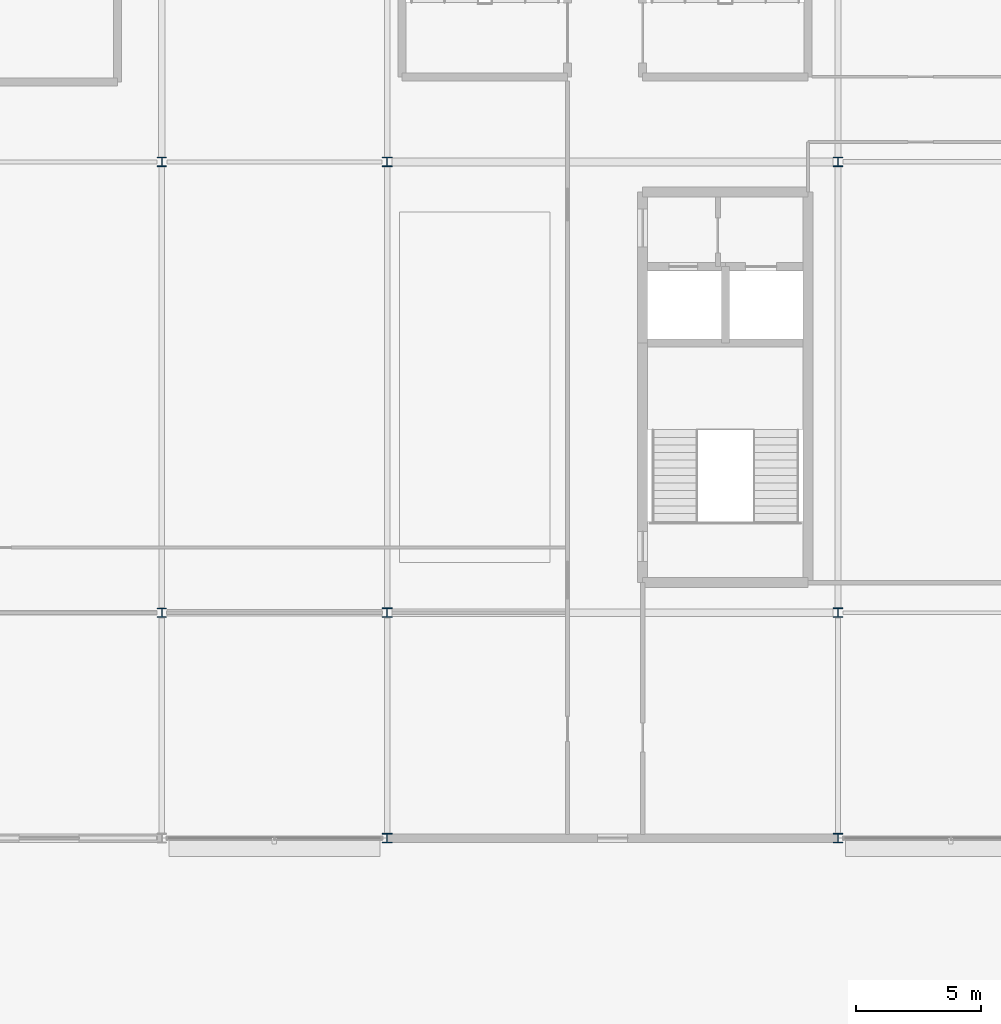
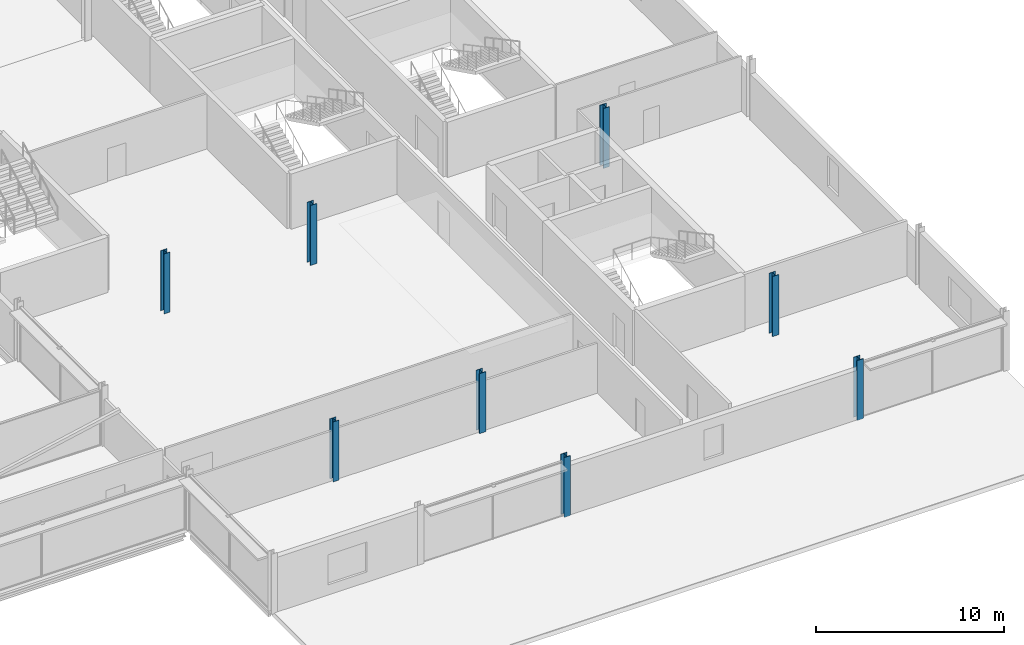
# One storey, part 11 of 105: 8 columns.
"""IFC4 building model written with IfcOpenShell, lengths in metres."""

import ifcopenshell
import ifcopenshell.guid

model = None  # the IFC model being written
_history = None  # IfcOwnerHistory: only IFC2X3 demands one
_inside = {}  # id of a spatial element -> (the spatial element, [elements in it])
_under = {}  # id of a project, library or spatial element -> (it, [spatial elements below it])
_declared = {}  # id of a project -> (the project, [libraries it declares])
_typed = {}  # id of a type object -> (the type object, [elements of that type])
_made_of = {}  # id of a material, layer set ... -> (it, [elements and type objects made of it])


def new_model(schema):
    """Start an empty IFC model of exactly this schema.

    Asked for "IFC4X3", IfcOpenShell would pick the latest addendum, in which some entities
    have other attributes; the version numbers below select the first issue.
    IFC2X3 requires an IfcOwnerHistory on every rooted entity: one is made here for all.
    """
    global model, _history
    if schema == "IFC4X3":
        model = ifcopenshell.file(schema_version=(4, 3, 0, 0))
    else:
        model = ifcopenshell.file(schema=schema)
    _inside.clear()
    _under.clear()
    _declared.clear()
    _typed.clear()
    _made_of.clear()
    _history = None
    if model.schema == "IFC2X3":
        org = make("IfcOrganization", Name="unknown")
        user = make(
            "IfcPersonAndOrganization",
            ThePerson=make("IfcPerson", FamilyName="unknown"),
            TheOrganization=org,
        )
        app = make(
            "IfcApplication",
            ApplicationDeveloper=org,
            Version="unknown",
            ApplicationFullName="unknown",
            ApplicationIdentifier="unknown",
        )
        _history = make(
            "IfcOwnerHistory",
            OwningUser=user,
            OwningApplication=app,
            ChangeAction="ADDED",
            CreationDate=0,
        )
    return model


def make(cls, **values):
    """One entity of the class cls with the attributes given. An attribute that is None is left unset."""
    return model.create_entity(
        cls, **{name: value for name, value in values.items() if value is not None}
    )


def rooted(cls, **values):
    """An entity with a GlobalId (a new one), such as an element, a storey or a relation."""
    return make(cls, GlobalId=ifcopenshell.guid.new(), OwnerHistory=_history, **values)


def si_unit(unit_type, name, prefix=None):
    """IfcSIUnit, for example si_unit("LENGTHUNIT", "METRE", prefix="MILLI")."""
    return make("IfcSIUnit", UnitType=unit_type, Prefix=prefix, Name=name)


def assignment(units):
    """IfcUnitAssignment: the units of a project."""
    return None if units is None else make("IfcUnitAssignment", Units=units)


def point(xyz):
    """IfcCartesianPoint."""
    return None if xyz is None else make("IfcCartesianPoint", Coordinates=xyz)


def direction(xyz):
    """IfcDirection."""
    return None if xyz is None else make("IfcDirection", DirectionRatios=xyz)


def frame(location, z_axis=None, x_axis=None):
    """IfcAxis2Placement3D, a coordinate frame: its origin and axes. An axis left out is left unset."""
    return make(
        "IfcAxis2Placement3D",
        Location=point(location),
        Axis=direction(z_axis),
        RefDirection=direction(x_axis),
    )


def frame_2d(location, x_axis=None):
    """IfcAxis2Placement2D, a coordinate frame in the plane: its origin and x axis."""
    return make(
        "IfcAxis2Placement2D", Location=point(location), RefDirection=direction(x_axis)
    )


def origin():
    """The frame at (0, 0, 0) with its axes left unset."""
    return frame((0.0, 0.0, 0.0))


def origin_2d():
    """The frame at (0, 0) in the plane with its x axis left unset."""
    return frame_2d((0.0, 0.0))


def place(relative_to, where):
    """IfcLocalPlacement: puts the frame where relative to a parent placement (None: the world)."""
    return make(
        "IfcLocalPlacement", PlacementRelTo=relative_to, RelativePlacement=where
    )


def context(
    kind, dimensions, precision=None, world=None, true_north=None, identifier=None
):
    """IfcGeometricRepresentationContext, for example the 3D "Model" context."""
    return make(
        "IfcGeometricRepresentationContext",
        ContextIdentifier=identifier,
        ContextType=kind,
        CoordinateSpaceDimension=dimensions,
        Precision=precision,
        WorldCoordinateSystem=world,
        TrueNorth=true_north,
    )


def subcontext(parent, identifier, kind, view, scale=None):
    """IfcGeometricRepresentationSubContext, for example "Body" below "Model"."""
    return make(
        "IfcGeometricRepresentationSubContext",
        ContextIdentifier=identifier,
        ContextType=kind,
        ParentContext=parent,
        TargetScale=scale,
        TargetView=view,
    )


def project(units=None, contexts=None):
    """IfcProject with its units and contexts."""
    return rooted(
        "IfcProject",
        Name="project",
        RepresentationContexts=contexts,
        UnitsInContext=assignment(units),
    )


def spatial(cls, under=None, at=None, **own):
    """A site, building, storey or space (cls), placed at a placement, below another one or the project."""
    s = rooted(cls, ObjectPlacement=at, **own)
    if under is not None:
        _under.setdefault(under.id(), (under, []))[1].append(s)
    return s


def profile(cls, at=None, kind="AREA", **sizes):
    """A parametric profile (cls). Its sizes go by their IFC names, for example OverallWidth=200.0."""
    return make(cls, ProfileType=kind, Position=at, **sizes)


def i_section(**sizes):
    """IfcIShapeProfileDef."""
    return profile("IfcIShapeProfileDef", **sizes)


def extrude(swept, where, along, depth):
    """IfcExtrudedAreaSolid: the profile swept, set in the frame where, extruded along a direction by depth."""
    return make(
        "IfcExtrudedAreaSolid",
        SweptArea=swept,
        Position=where,
        ExtrudedDirection=direction(along),
        Depth=depth,
    )


def shape(context_of_items, identifier, shape_type, items):
    """IfcShapeRepresentation: the items that make up one representation, for example the "Body"."""
    return make(
        "IfcShapeRepresentation",
        ContextOfItems=context_of_items,
        RepresentationIdentifier=identifier,
        RepresentationType=shape_type,
        Items=items,
    )


def material(Name=None, Category=None):
    """IfcMaterial."""
    return make("IfcMaterial", Name=Name, Category=Category)


def material_profile(
    of_material, cross_section, Name=None, Category=None, Priority=None
):
    """IfcMaterialProfile: a cross section and its material."""
    return make(
        "IfcMaterialProfile",
        Name=Name,
        Material=of_material,
        Profile=cross_section,
        Priority=Priority,
        Category=Category,
    )


def profile_set(profiles, Name=None, composite=None):
    """IfcMaterialProfileSet."""
    return make(
        "IfcMaterialProfileSet",
        Name=Name,
        MaterialProfiles=profiles,
        CompositeProfile=composite,
    )


def made_of(thing, what):
    """Note that an element or type object is made of a material, layer set ...; save() writes the relation."""
    if what is not None:
        _made_of.setdefault(what.id(), (what, []))[1].append(thing)
    return thing


def type_object(cls, material=None, **own):
    """A type object (cls), such as IfcWallType, which elements share."""
    return made_of(rooted(cls, **own), material)


def element(
    cls,
    number,
    at=None,
    inside=None,
    cuts=None,
    type_object=None,
    material=None,
    context=None,
    identifier="Body",
    shape_type=None,
    held_by="IfcProductDefinitionShape",
    body=None,
    shapes=None,
    **own,
):
    """One element of the class cls, such as IfcWall. Its Tag is "e" and its number.

    at: its placement. inside: the storey or other place that contains it. cuts: it is an
    opening in that element (IfcRelVoidsElement). A single representation is given by context,
    identifier, shape_type and body (its items); several are given by shapes. held_by: the class
    of the entity that holds the representations. save() writes the other relations.
    """
    e = rooted(cls, Tag="e%d" % number, ObjectPlacement=at, **own)
    if body is not None:
        shapes = [shape(context, identifier, shape_type, body)]
    if shapes is not None:
        e.Representation = make(held_by, Representations=shapes)
    if inside is not None:
        _inside.setdefault(inside.id(), (inside, []))[1].append(e)
    if cuts is not None:
        rooted(
            "IfcRelVoidsElement", RelatingBuildingElement=cuts, RelatedOpeningElement=e
        )
    if type_object is not None:
        _typed.setdefault(type_object.id(), (type_object, []))[1].append(e)
    return made_of(e, material)


def aggregate(whole, parts):
    """IfcRelAggregates: a whole, such as a stair, and the parts it consists of."""
    return rooted("IfcRelAggregates", RelatingObject=whole, RelatedObjects=parts)


def save(model, path):
    """Write the relations noted so far, then the file.

    IfcRelAggregates (storeys below a building ...), IfcRelContainedInSpatialStructure (elements
    in a storey), IfcRelDefinesByType, IfcRelAssociatesMaterial and IfcRelDeclares: one each for
    every whole, place, type object, material and project.
    """
    for whole, parts in _under.values():
        aggregate(whole, parts)
    for where, things in _inside.values():
        rooted(
            "IfcRelContainedInSpatialStructure",
            RelatedElements=things,
            RelatingStructure=where,
        )
    for kind, things in _typed.values():
        rooted("IfcRelDefinesByType", RelatedObjects=things, RelatingType=kind)
    for what, things in _made_of.values():
        rooted("IfcRelAssociatesMaterial", RelatedObjects=things, RelatingMaterial=what)
    for by, libraries in _declared.values():
        rooted("IfcRelDeclares", RelatingContext=by, RelatedDefinitions=libraries)
    model.write(path)


model = new_model("IFC4")

# Units and contexts
model_context = context("Model", 3, precision=1e-05, world=origin(), true_north=direction((0.0, 1.0)))
body_context = subcontext(model_context, "Body", "Model", "MODEL_VIEW")
ifc_project = project(units=[si_unit("LENGTHUNIT", "METRE"), si_unit("AREAUNIT", "SQUARE_METRE"), si_unit("VOLUMEUNIT", "CUBIC_METRE"), si_unit("PLANEANGLEUNIT", "RADIAN"), si_unit("MASSUNIT", "GRAM", prefix="KILO")], contexts=[model_context])

# Site, building, storey
site_placement = place(None, origin())
site = spatial("IfcSite", under=ifc_project, at=site_placement, CompositionType="ELEMENT")
building_placement = place(site_placement, origin())
building = spatial("IfcBuilding", under=site, at=building_placement, Name="Kisiwana Market Hall", CompositionType="ELEMENT")
storey_placement = place(building_placement, frame((0.0, 0.0, 21.60009765625)))
storey = spatial("IfcBuildingStorey", under=building, at=storey_placement, Name="L04", CompositionType="ELEMENT", Elevation=21.60009765625)

# Columns
ifc_material_1 = material(Name="Steel S355", Category="steel")
ifc_material_profile_1 = material_profile(ifc_material_1, i_section(OverallWidth=0.37255859375, OverallDepth=0.3681640625, WebThickness=0.014404296875, FlangeThickness=0.023681640625, FilletRadius=0.01513671875, at=origin_2d()), Name="UC 356x368x177")
ifc_profile_set_1 = profile_set([ifc_material_profile_1], Name="Steel S355")
column_type_1 = type_object("IfcColumnType", Name="COL-STL-UC177", PredefinedType="COLUMN", material=ifc_profile_set_1)
for number, where, z_axis, x_axis, name in (
    (1, (162.0, 18.0, 0.0), (0.0, 0.0, 1.0), (1.0, 0.0, 0.0), "Column C/19 (L04) C-0853"),
    (2, (162.0, 36.0, 0.0), (0.0, 0.0, 1.0), (1.0, 0.0, 0.0), "Column E/19 (L04) C-0854"),
):
    element("IfcColumn", number, at=place(storey_placement, frame(where, z_axis=z_axis, x_axis=x_axis)), inside=storey, type_object=column_type_1, Name=name, PredefinedType="COLUMN", context=body_context, shape_type="SweptSolid", body=[
        extrude(i_section(OverallWidth=0.37255859375, OverallDepth=0.3681640625, WebThickness=0.014404296875, FlangeThickness=0.023681640625, FilletRadius=0.01513671875, at=origin_2d()), origin(), (0.0, 0.0, 1.0), 3.89990234375),
    ])
ifc_material_2 = material(Name="Steel S355", Category="steel")
ifc_material_profile_2 = material_profile(ifc_material_2, i_section(OverallWidth=0.394775390625, OverallDepth=0.381103515625, WebThickness=0.018310546875, FlangeThickness=0.0302734375, at=origin_2d()), Name="UC 356x406x235")
ifc_profile_set_2 = profile_set([ifc_material_profile_2], Name="Steel S355")
column_type_2 = type_object("IfcColumnType", Name="COL-STL-UC235", PredefinedType="COLUMN", material=ifc_profile_set_2)
for number, where, z_axis, x_axis, name in (
    (3, (171.0, 9.0, 0.0), (0.0, 0.0, 1.0), (1.0, 0.0, 0.0), "Column B/20 (L04) C-0858"),
    (4, (171.0, 18.0, 0.0), (0.0, 0.0, 1.0), (1.0, 0.0, 0.0), "Column C/20 (L04) C-0859"),
    (5, (171.0, 36.0, 0.0), (0.0, 0.0, 1.0), (1.0, 0.0, 0.0), "Column E/20 (L04) C-0860"),
    (6, (189.0, 9.0, 0.0), (0.0, 0.0, 1.0), (1.0, 0.0, 0.0), "Column B/22 (L04) C-0865"),
    (7, (189.0, 18.0, 0.0), (0.0, 0.0, 1.0), (1.0, 0.0, 0.0), "Column C/22 (L04) C-0866"),
    (8, (189.0, 36.0, 0.0), (0.0, 0.0, 1.0), (1.0, 0.0, 0.0), "Column E/22 (L04) C-0867"),
):
    element("IfcColumn", number, at=place(storey_placement, frame(where, z_axis=z_axis, x_axis=x_axis)), inside=storey, type_object=column_type_2, Name=name, PredefinedType="COLUMN", context=body_context, shape_type="SweptSolid", body=[
        extrude(i_section(OverallWidth=0.394775390625, OverallDepth=0.381103515625, WebThickness=0.018310546875, FlangeThickness=0.0302734375, at=origin_2d()), origin(), (0.0, 0.0, 1.0), 3.89990234375),
    ])

save(model, "model.ifc")
